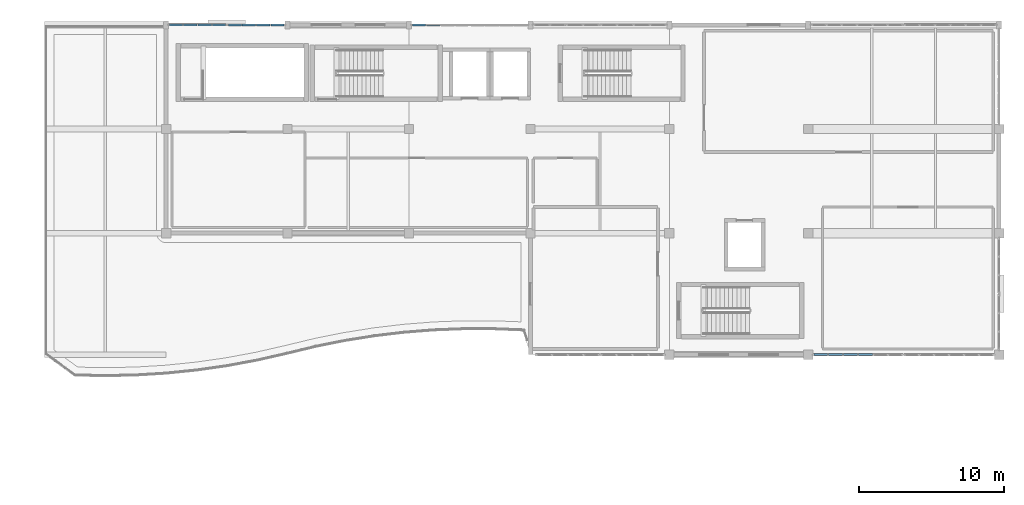
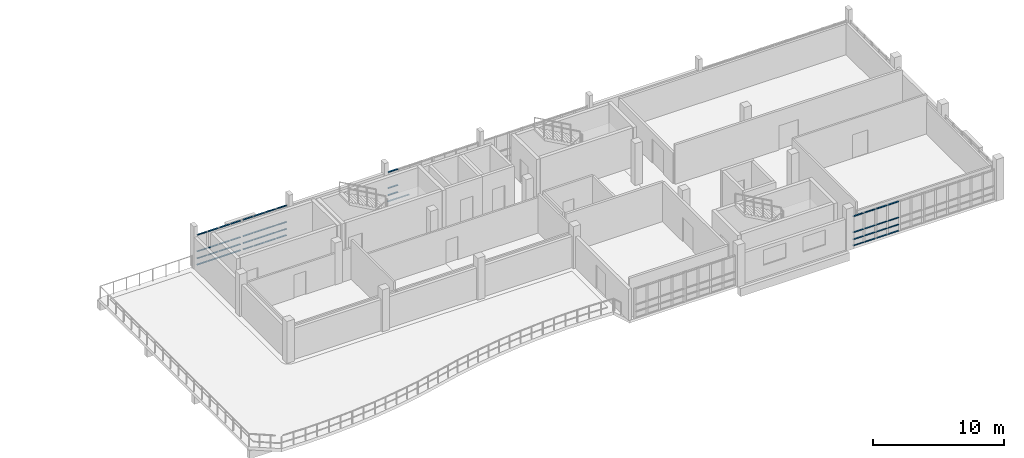
# One storey, part 14 of 25: 53 members, 4 elements without a shape of their own.
"""IFC4 building model written with IfcOpenShell, lengths in metres."""

from ifc_helpers import new_model, si_unit, direction, frame, origin, origin_2d, place, context, subcontext, project, spatial, hollow_rectangle, extrude, material, layer, layer_set, material_profile, profile_set, type_object, element, aggregate, save


model = new_model("IFC4")

# Units and contexts
model_context = context("Model", 3, precision=1e-05, world=origin(), true_north=direction((0.0, 1.0)))
body_context = subcontext(model_context, "Body", "Model", "MODEL_VIEW")
ifc_project = project(units=[si_unit("LENGTHUNIT", "METRE"), si_unit("AREAUNIT", "SQUARE_METRE"), si_unit("VOLUMEUNIT", "CUBIC_METRE"), si_unit("PLANEANGLEUNIT", "RADIAN"), si_unit("MASSUNIT", "GRAM", prefix="KILO")], contexts=[model_context])

# Site, building, storey
site_placement = place(None, origin())
site = spatial("IfcSite", under=ifc_project, at=site_placement, CompositionType="ELEMENT")
building_placement = place(site_placement, origin())
building = spatial("IfcBuilding", under=site, at=building_placement, Name="Kisaragi Civic Commons", CompositionType="ELEMENT")
storey_placement = place(building_placement, frame((0.0, 0.0, 13.5)))
storey = spatial("IfcBuildingStorey", under=building, at=storey_placement, Name="L03", CompositionType="ELEMENT", Elevation=13.5)

# Curtain wall, members
ifc_material = material(Name="Thermally broken anodized aluminium and low-E double glazing", Category="aluminium")
ifc_layer = layer(ifc_material, 0.179931640625, Name="Thermally broken anodized aluminium and low-E double glazing", Category="aluminium")
ifc_layer_set = layer_set([ifc_layer], Name="Thermally broken anodized aluminium and low-E double glazing")
curtain_wall_type = type_object("IfcCurtainWallType", Name="CW-01", PredefinedType="NOTDEFINED", material=ifc_layer_set)
curtain_wall_1_placement = place(storey_placement, origin())
curtain_wall_1 = element("IfcCurtainWall", 1, at=curtain_wall_1_placement, inside=storey, type_object=curtain_wall_type, Name="L03 curtain wall CW-01 CW-V4-L03-095", PredefinedType="NOTDEFINED")
ifc_material_profile = material_profile(ifc_material, hollow_rectangle(XDim=0.139892578125, YDim=0.06494140625, WallThickness=0.00439453125, InnerFilletRadius=0.00439453125, OuterFilletRadius=0.009033203125, at=origin_2d()), Name="CWT-65x140x4.5", Category="aluminium")
ifc_profile_set = profile_set([ifc_material_profile], Name="Thermally broken anodized aluminium and low-E double glazing")
member_type = type_object("IfcMemberType", Name="CWT-02", PredefinedType="USERDEFINED", material=ifc_profile_set)
member_1_placement = place(storey_placement, frame((89.054931640625, 118.800048828125, 0.070068359375), z_axis=(1.0, 0.0, 0.0), x_axis=(0.0, 1.0, 0.0)))
member_1 = element("IfcMember", 2, at=member_1_placement, type_object=member_type, Name="CW-01 transom 1.1", ObjectType="TRANSOM", PredefinedType="USERDEFINED", context=body_context, shape_type="SweptSolid", body=[
    extrude(hollow_rectangle(XDim=0.139892578125, YDim=0.06494140625, WallThickness=0.00439453125, InnerFilletRadius=0.00439453125, OuterFilletRadius=0.009033203125, at=origin_2d()), origin(), (0.0, 0.0, 1.0), 0.89501953125),
])
member_2_placement = place(storey_placement, frame((89.054931640625, 118.800048828125, 0.64990234375), z_axis=(1.0, 0.0, 0.0), x_axis=(0.0, 1.0, 0.0)))
member_2 = element("IfcMember", 3, at=member_2_placement, type_object=member_type, Name="CW-01 transom 1.2", ObjectType="TRANSOM", PredefinedType="USERDEFINED", context=body_context, shape_type="SweptSolid", body=[
    extrude(hollow_rectangle(XDim=0.139892578125, YDim=0.06494140625, WallThickness=0.00439453125, InnerFilletRadius=0.00439453125, OuterFilletRadius=0.009033203125, at=origin_2d()), origin(), (0.0, 0.0, 1.0), 0.89501953125),
])
member_3_placement = place(storey_placement, frame((89.054931640625, 118.800048828125, 1.300048828125), z_axis=(1.0, 0.0, 0.0), x_axis=(0.0, 1.0, 0.0)))
member_3 = element("IfcMember", 4, at=member_3_placement, type_object=member_type, Name="CW-01 transom 1.3", ObjectType="TRANSOM", PredefinedType="USERDEFINED", context=body_context, shape_type="SweptSolid", body=[
    extrude(hollow_rectangle(XDim=0.139892578125, YDim=0.06494140625, WallThickness=0.00439453125, InnerFilletRadius=0.00439453125, OuterFilletRadius=0.009033203125, at=origin_2d()), origin(), (0.0, 0.0, 1.0), 0.89501953125),
])
member_4_placement = place(storey_placement, frame((89.054931640625, 118.800048828125, 2.8349609375), z_axis=(1.0, 0.0, 0.0), x_axis=(0.0, 1.0, 0.0)))
member_4 = element("IfcMember", 5, at=member_4_placement, type_object=member_type, Name="CW-01 transom 1.4", ObjectType="TRANSOM", PredefinedType="USERDEFINED", context=body_context, shape_type="SweptSolid", body=[
    extrude(hollow_rectangle(XDim=0.139892578125, YDim=0.06494140625, WallThickness=0.00439453125, InnerFilletRadius=0.00439453125, OuterFilletRadius=0.009033203125, at=origin_2d()), origin(), (0.0, 0.0, 1.0), 0.89501953125),
])
member_5_placement = place(storey_placement, frame((90.014892578125, 118.800048828125, 0.070068359375), z_axis=(1.0, 0.0, 0.0), x_axis=(0.0, 1.0, 0.0)))
member_5 = element("IfcMember", 6, at=member_5_placement, type_object=member_type, Name="CW-01 transom 2.1", ObjectType="TRANSOM", PredefinedType="USERDEFINED", context=body_context, shape_type="SweptSolid", body=[
    extrude(hollow_rectangle(XDim=0.139892578125, YDim=0.06494140625, WallThickness=0.00439453125, InnerFilletRadius=0.00439453125, OuterFilletRadius=0.009033203125, at=origin_2d()), origin(), (0.0, 0.0, 1.0), 0.927490234375),
])
member_6_placement = place(storey_placement, frame((90.014892578125, 118.800048828125, 0.64990234375), z_axis=(1.0, 0.0, 0.0), x_axis=(0.0, 1.0, 0.0)))
member_6 = element("IfcMember", 7, at=member_6_placement, type_object=member_type, Name="CW-01 transom 2.2", ObjectType="TRANSOM", PredefinedType="USERDEFINED", context=body_context, shape_type="SweptSolid", body=[
    extrude(hollow_rectangle(XDim=0.139892578125, YDim=0.06494140625, WallThickness=0.00439453125, InnerFilletRadius=0.00439453125, OuterFilletRadius=0.009033203125, at=origin_2d()), origin(), (0.0, 0.0, 1.0), 0.927490234375),
])
member_7_placement = place(storey_placement, frame((90.014892578125, 118.800048828125, 1.300048828125), z_axis=(1.0, 0.0, 0.0), x_axis=(0.0, 1.0, 0.0)))
member_7 = element("IfcMember", 8, at=member_7_placement, type_object=member_type, Name="CW-01 transom 2.3", ObjectType="TRANSOM", PredefinedType="USERDEFINED", context=body_context, shape_type="SweptSolid", body=[
    extrude(hollow_rectangle(XDim=0.139892578125, YDim=0.06494140625, WallThickness=0.00439453125, InnerFilletRadius=0.00439453125, OuterFilletRadius=0.009033203125, at=origin_2d()), origin(), (0.0, 0.0, 1.0), 0.927490234375),
])
member_8_placement = place(storey_placement, frame((90.014892578125, 118.800048828125, 2.8349609375), z_axis=(1.0, 0.0, 0.0), x_axis=(0.0, 1.0, 0.0)))
member_8 = element("IfcMember", 9, at=member_8_placement, type_object=member_type, Name="CW-01 transom 2.4", ObjectType="TRANSOM", PredefinedType="USERDEFINED", context=body_context, shape_type="SweptSolid", body=[
    extrude(hollow_rectangle(XDim=0.139892578125, YDim=0.06494140625, WallThickness=0.00439453125, InnerFilletRadius=0.00439453125, OuterFilletRadius=0.009033203125, at=origin_2d()), origin(), (0.0, 0.0, 1.0), 0.927490234375),
])
member_9_placement = place(storey_placement, frame((91.007568359375, 118.800048828125, 0.070068359375), z_axis=(1.0, 0.0, 0.0), x_axis=(0.0, 1.0, 0.0)))
member_9 = element("IfcMember", 10, at=member_9_placement, type_object=member_type, Name="CW-01 transom 3.1", ObjectType="TRANSOM", PredefinedType="USERDEFINED", context=body_context, shape_type="SweptSolid", body=[
    extrude(hollow_rectangle(XDim=0.139892578125, YDim=0.06494140625, WallThickness=0.00439453125, InnerFilletRadius=0.00439453125, OuterFilletRadius=0.009033203125, at=origin_2d()), origin(), (0.0, 0.0, 1.0), 0.927490234375),
])
member_10_placement = place(storey_placement, frame((91.007568359375, 118.800048828125, 0.64990234375), z_axis=(1.0, 0.0, 0.0), x_axis=(0.0, 1.0, 0.0)))
member_10 = element("IfcMember", 11, at=member_10_placement, type_object=member_type, Name="CW-01 transom 3.2", ObjectType="TRANSOM", PredefinedType="USERDEFINED", context=body_context, shape_type="SweptSolid", body=[
    extrude(hollow_rectangle(XDim=0.139892578125, YDim=0.06494140625, WallThickness=0.00439453125, InnerFilletRadius=0.00439453125, OuterFilletRadius=0.009033203125, at=origin_2d()), origin(), (0.0, 0.0, 1.0), 0.927490234375),
])
member_11_placement = place(storey_placement, frame((91.007568359375, 118.800048828125, 1.300048828125), z_axis=(1.0, 0.0, 0.0), x_axis=(0.0, 1.0, 0.0)))
member_11 = element("IfcMember", 12, at=member_11_placement, type_object=member_type, Name="CW-01 transom 3.3", ObjectType="TRANSOM", PredefinedType="USERDEFINED", context=body_context, shape_type="SweptSolid", body=[
    extrude(hollow_rectangle(XDim=0.139892578125, YDim=0.06494140625, WallThickness=0.00439453125, InnerFilletRadius=0.00439453125, OuterFilletRadius=0.009033203125, at=origin_2d()), origin(), (0.0, 0.0, 1.0), 0.927490234375),
])
member_12_placement = place(storey_placement, frame((91.007568359375, 118.800048828125, 2.8349609375), z_axis=(1.0, 0.0, 0.0), x_axis=(0.0, 1.0, 0.0)))
member_12 = element("IfcMember", 13, at=member_12_placement, type_object=member_type, Name="CW-01 transom 3.4", ObjectType="TRANSOM", PredefinedType="USERDEFINED", context=body_context, shape_type="SweptSolid", body=[
    extrude(hollow_rectangle(XDim=0.139892578125, YDim=0.06494140625, WallThickness=0.00439453125, InnerFilletRadius=0.00439453125, OuterFilletRadius=0.009033203125, at=origin_2d()), origin(), (0.0, 0.0, 1.0), 0.927490234375),
])
member_13_placement = place(storey_placement, frame((92.0, 118.800048828125, 0.070068359375), z_axis=(1.0, 0.0, 0.0), x_axis=(0.0, 1.0, 0.0)))
member_13 = element("IfcMember", 14, at=member_13_placement, type_object=member_type, Name="CW-01 transom 4.1", ObjectType="TRANSOM", PredefinedType="USERDEFINED", context=body_context, shape_type="SweptSolid", body=[
    extrude(hollow_rectangle(XDim=0.139892578125, YDim=0.06494140625, WallThickness=0.00439453125, InnerFilletRadius=0.00439453125, OuterFilletRadius=0.009033203125, at=origin_2d()), origin(), (0.0, 0.0, 1.0), 0.89501953125),
])
member_14_placement = place(storey_placement, frame((92.0, 118.800048828125, 0.64990234375), z_axis=(1.0, 0.0, 0.0), x_axis=(0.0, 1.0, 0.0)))
member_14 = element("IfcMember", 15, at=member_14_placement, type_object=member_type, Name="CW-01 transom 4.2", ObjectType="TRANSOM", PredefinedType="USERDEFINED", context=body_context, shape_type="SweptSolid", body=[
    extrude(hollow_rectangle(XDim=0.139892578125, YDim=0.06494140625, WallThickness=0.00439453125, InnerFilletRadius=0.00439453125, OuterFilletRadius=0.009033203125, at=origin_2d()), origin(), (0.0, 0.0, 1.0), 0.89501953125),
])
member_15_placement = place(storey_placement, frame((92.0, 118.800048828125, 1.300048828125), z_axis=(1.0, 0.0, 0.0), x_axis=(0.0, 1.0, 0.0)))
member_15 = element("IfcMember", 16, at=member_15_placement, type_object=member_type, Name="CW-01 transom 4.3", ObjectType="TRANSOM", PredefinedType="USERDEFINED", context=body_context, shape_type="SweptSolid", body=[
    extrude(hollow_rectangle(XDim=0.139892578125, YDim=0.06494140625, WallThickness=0.00439453125, InnerFilletRadius=0.00439453125, OuterFilletRadius=0.009033203125, at=origin_2d()), origin(), (0.0, 0.0, 1.0), 0.89501953125),
])
member_16_placement = place(storey_placement, frame((92.0, 118.800048828125, 2.8349609375), z_axis=(1.0, 0.0, 0.0), x_axis=(0.0, 1.0, 0.0)))
member_16 = element("IfcMember", 17, at=member_16_placement, type_object=member_type, Name="CW-01 transom 4.4", ObjectType="TRANSOM", PredefinedType="USERDEFINED", context=body_context, shape_type="SweptSolid", body=[
    extrude(hollow_rectangle(XDim=0.139892578125, YDim=0.06494140625, WallThickness=0.00439453125, InnerFilletRadius=0.00439453125, OuterFilletRadius=0.009033203125, at=origin_2d()), origin(), (0.0, 0.0, 1.0), 0.89501953125),
])
aggregate(curtain_wall_1, [member_1, member_2, member_3, member_4, member_5, member_6, member_7, member_8, member_9, member_10, member_11, member_12, member_13, member_14, member_15, member_16])

curtain_wall_2_placement = place(storey_placement, origin())
curtain_wall_2 = element("IfcCurtainWall", 18, at=curtain_wall_2_placement, inside=storey, type_object=curtain_wall_type, Name="L03 curtain wall CW-01 CW-V4-L03-096", PredefinedType="NOTDEFINED")
member_17_placement = place(storey_placement, frame((93.10498046875, 118.800048828125, 0.070068359375), z_axis=(1.0, 0.0, 0.0), x_axis=(0.0, 1.0, 0.0)))
member_17 = element("IfcMember", 19, at=member_17_placement, type_object=member_type, Name="CW-01 transom 1.1", ObjectType="TRANSOM", PredefinedType="USERDEFINED", context=body_context, shape_type="SweptSolid", body=[
    extrude(hollow_rectangle(XDim=0.139892578125, YDim=0.06494140625, WallThickness=0.00439453125, InnerFilletRadius=0.00439453125, OuterFilletRadius=0.009033203125, at=origin_2d()), origin(), (0.0, 0.0, 1.0), 0.89501953125),
])
member_18_placement = place(storey_placement, frame((93.10498046875, 118.800048828125, 0.64990234375), z_axis=(1.0, 0.0, 0.0), x_axis=(0.0, 1.0, 0.0)))
member_18 = element("IfcMember", 20, at=member_18_placement, type_object=member_type, Name="CW-01 transom 1.2", ObjectType="TRANSOM", PredefinedType="USERDEFINED", context=body_context, shape_type="SweptSolid", body=[
    extrude(hollow_rectangle(XDim=0.139892578125, YDim=0.06494140625, WallThickness=0.00439453125, InnerFilletRadius=0.00439453125, OuterFilletRadius=0.009033203125, at=origin_2d()), origin(), (0.0, 0.0, 1.0), 0.89501953125),
])
member_19_placement = place(storey_placement, frame((93.10498046875, 118.800048828125, 1.300048828125), z_axis=(1.0, 0.0, 0.0), x_axis=(0.0, 1.0, 0.0)))
member_19 = element("IfcMember", 21, at=member_19_placement, type_object=member_type, Name="CW-01 transom 1.3", ObjectType="TRANSOM", PredefinedType="USERDEFINED", context=body_context, shape_type="SweptSolid", body=[
    extrude(hollow_rectangle(XDim=0.139892578125, YDim=0.06494140625, WallThickness=0.00439453125, InnerFilletRadius=0.00439453125, OuterFilletRadius=0.009033203125, at=origin_2d()), origin(), (0.0, 0.0, 1.0), 0.89501953125),
])
member_20_placement = place(storey_placement, frame((93.10498046875, 118.800048828125, 2.8349609375), z_axis=(1.0, 0.0, 0.0), x_axis=(0.0, 1.0, 0.0)))
member_20 = element("IfcMember", 22, at=member_20_placement, type_object=member_type, Name="CW-01 transom 1.4", ObjectType="TRANSOM", PredefinedType="USERDEFINED", context=body_context, shape_type="SweptSolid", body=[
    extrude(hollow_rectangle(XDim=0.139892578125, YDim=0.06494140625, WallThickness=0.00439453125, InnerFilletRadius=0.00439453125, OuterFilletRadius=0.009033203125, at=origin_2d()), origin(), (0.0, 0.0, 1.0), 0.89501953125),
])
member_21_placement = place(storey_placement, frame((94.06494140625, 118.800048828125, 0.070068359375), z_axis=(1.0, 0.0, 0.0), x_axis=(0.0, 1.0, 0.0)))
member_21 = element("IfcMember", 23, at=member_21_placement, type_object=member_type, Name="CW-01 transom 2.1", ObjectType="TRANSOM", PredefinedType="USERDEFINED", context=body_context, shape_type="SweptSolid", body=[
    extrude(hollow_rectangle(XDim=0.139892578125, YDim=0.06494140625, WallThickness=0.00439453125, InnerFilletRadius=0.00439453125, OuterFilletRadius=0.009033203125, at=origin_2d()), origin(), (0.0, 0.0, 1.0), 0.927490234375),
])
member_22_placement = place(storey_placement, frame((94.06494140625, 118.800048828125, 0.64990234375), z_axis=(1.0, 0.0, 0.0), x_axis=(0.0, 1.0, 0.0)))
member_22 = element("IfcMember", 24, at=member_22_placement, type_object=member_type, Name="CW-01 transom 2.2", ObjectType="TRANSOM", PredefinedType="USERDEFINED", context=body_context, shape_type="SweptSolid", body=[
    extrude(hollow_rectangle(XDim=0.139892578125, YDim=0.06494140625, WallThickness=0.00439453125, InnerFilletRadius=0.00439453125, OuterFilletRadius=0.009033203125, at=origin_2d()), origin(), (0.0, 0.0, 1.0), 0.927490234375),
])
member_23_placement = place(storey_placement, frame((94.06494140625, 118.800048828125, 1.300048828125), z_axis=(1.0, 0.0, 0.0), x_axis=(0.0, 1.0, 0.0)))
member_23 = element("IfcMember", 25, at=member_23_placement, type_object=member_type, Name="CW-01 transom 2.3", ObjectType="TRANSOM", PredefinedType="USERDEFINED", context=body_context, shape_type="SweptSolid", body=[
    extrude(hollow_rectangle(XDim=0.139892578125, YDim=0.06494140625, WallThickness=0.00439453125, InnerFilletRadius=0.00439453125, OuterFilletRadius=0.009033203125, at=origin_2d()), origin(), (0.0, 0.0, 1.0), 0.927490234375),
])
member_24_placement = place(storey_placement, frame((94.06494140625, 118.800048828125, 2.8349609375), z_axis=(1.0, 0.0, 0.0), x_axis=(0.0, 1.0, 0.0)))
member_24 = element("IfcMember", 26, at=member_24_placement, type_object=member_type, Name="CW-01 transom 2.4", ObjectType="TRANSOM", PredefinedType="USERDEFINED", context=body_context, shape_type="SweptSolid", body=[
    extrude(hollow_rectangle(XDim=0.139892578125, YDim=0.06494140625, WallThickness=0.00439453125, InnerFilletRadius=0.00439453125, OuterFilletRadius=0.009033203125, at=origin_2d()), origin(), (0.0, 0.0, 1.0), 0.927490234375),
])
member_25_placement = place(storey_placement, frame((95.0576171875, 118.800048828125, 0.070068359375), z_axis=(1.0, 0.0, 0.0), x_axis=(0.0, 1.0, 0.0)))
member_25 = element("IfcMember", 27, at=member_25_placement, type_object=member_type, Name="CW-01 transom 3.1", ObjectType="TRANSOM", PredefinedType="USERDEFINED", context=body_context, shape_type="SweptSolid", body=[
    extrude(hollow_rectangle(XDim=0.139892578125, YDim=0.06494140625, WallThickness=0.00439453125, InnerFilletRadius=0.00439453125, OuterFilletRadius=0.009033203125, at=origin_2d()), origin(), (0.0, 0.0, 1.0), 0.927490234375),
])
member_26_placement = place(storey_placement, frame((95.0576171875, 118.800048828125, 0.64990234375), z_axis=(1.0, 0.0, 0.0), x_axis=(0.0, 1.0, 0.0)))
member_26 = element("IfcMember", 28, at=member_26_placement, type_object=member_type, Name="CW-01 transom 3.2", ObjectType="TRANSOM", PredefinedType="USERDEFINED", context=body_context, shape_type="SweptSolid", body=[
    extrude(hollow_rectangle(XDim=0.139892578125, YDim=0.06494140625, WallThickness=0.00439453125, InnerFilletRadius=0.00439453125, OuterFilletRadius=0.009033203125, at=origin_2d()), origin(), (0.0, 0.0, 1.0), 0.927490234375),
])
member_27_placement = place(storey_placement, frame((95.0576171875, 118.800048828125, 1.300048828125), z_axis=(1.0, 0.0, 0.0), x_axis=(0.0, 1.0, 0.0)))
member_27 = element("IfcMember", 29, at=member_27_placement, type_object=member_type, Name="CW-01 transom 3.3", ObjectType="TRANSOM", PredefinedType="USERDEFINED", context=body_context, shape_type="SweptSolid", body=[
    extrude(hollow_rectangle(XDim=0.139892578125, YDim=0.06494140625, WallThickness=0.00439453125, InnerFilletRadius=0.00439453125, OuterFilletRadius=0.009033203125, at=origin_2d()), origin(), (0.0, 0.0, 1.0), 0.927490234375),
])
member_28_placement = place(storey_placement, frame((95.0576171875, 118.800048828125, 2.8349609375), z_axis=(1.0, 0.0, 0.0), x_axis=(0.0, 1.0, 0.0)))
member_28 = element("IfcMember", 30, at=member_28_placement, type_object=member_type, Name="CW-01 transom 3.4", ObjectType="TRANSOM", PredefinedType="USERDEFINED", context=body_context, shape_type="SweptSolid", body=[
    extrude(hollow_rectangle(XDim=0.139892578125, YDim=0.06494140625, WallThickness=0.00439453125, InnerFilletRadius=0.00439453125, OuterFilletRadius=0.009033203125, at=origin_2d()), origin(), (0.0, 0.0, 1.0), 0.927490234375),
])
member_29_placement = place(storey_placement, frame((96.050048828125, 118.800048828125, 0.070068359375), z_axis=(1.0, 0.0, 0.0), x_axis=(0.0, 1.0, 0.0)))
member_29 = element("IfcMember", 31, at=member_29_placement, type_object=member_type, Name="CW-01 transom 4.1", ObjectType="TRANSOM", PredefinedType="USERDEFINED", context=body_context, shape_type="SweptSolid", body=[
    extrude(hollow_rectangle(XDim=0.139892578125, YDim=0.06494140625, WallThickness=0.00439453125, InnerFilletRadius=0.00439453125, OuterFilletRadius=0.009033203125, at=origin_2d()), origin(), (0.0, 0.0, 1.0), 0.89501953125),
])
member_30_placement = place(storey_placement, frame((96.050048828125, 118.800048828125, 0.64990234375), z_axis=(1.0, 0.0, 0.0), x_axis=(0.0, 1.0, 0.0)))
member_30 = element("IfcMember", 32, at=member_30_placement, type_object=member_type, Name="CW-01 transom 4.2", ObjectType="TRANSOM", PredefinedType="USERDEFINED", context=body_context, shape_type="SweptSolid", body=[
    extrude(hollow_rectangle(XDim=0.139892578125, YDim=0.06494140625, WallThickness=0.00439453125, InnerFilletRadius=0.00439453125, OuterFilletRadius=0.009033203125, at=origin_2d()), origin(), (0.0, 0.0, 1.0), 0.89501953125),
])
member_31_placement = place(storey_placement, frame((96.050048828125, 118.800048828125, 1.300048828125), z_axis=(1.0, 0.0, 0.0), x_axis=(0.0, 1.0, 0.0)))
member_31 = element("IfcMember", 33, at=member_31_placement, type_object=member_type, Name="CW-01 transom 4.3", ObjectType="TRANSOM", PredefinedType="USERDEFINED", context=body_context, shape_type="SweptSolid", body=[
    extrude(hollow_rectangle(XDim=0.139892578125, YDim=0.06494140625, WallThickness=0.00439453125, InnerFilletRadius=0.00439453125, OuterFilletRadius=0.009033203125, at=origin_2d()), origin(), (0.0, 0.0, 1.0), 0.89501953125),
])
member_32_placement = place(storey_placement, frame((96.050048828125, 118.800048828125, 2.8349609375), z_axis=(1.0, 0.0, 0.0), x_axis=(0.0, 1.0, 0.0)))
member_32 = element("IfcMember", 34, at=member_32_placement, type_object=member_type, Name="CW-01 transom 4.4", ObjectType="TRANSOM", PredefinedType="USERDEFINED", context=body_context, shape_type="SweptSolid", body=[
    extrude(hollow_rectangle(XDim=0.139892578125, YDim=0.06494140625, WallThickness=0.00439453125, InnerFilletRadius=0.00439453125, OuterFilletRadius=0.009033203125, at=origin_2d()), origin(), (0.0, 0.0, 1.0), 0.89501953125),
])
aggregate(curtain_wall_2, [member_17, member_18, member_19, member_20, member_21, member_22, member_23, member_24, member_25, member_26, member_27, member_28, member_29, member_30, member_31, member_32])

curtain_wall_3_placement = place(storey_placement, origin())
curtain_wall_3 = element("IfcCurtainWall", 35, at=curtain_wall_3_placement, inside=storey, type_object=curtain_wall_type, Name="L03 curtain wall CW-01 CW-V4-L03-097", PredefinedType="NOTDEFINED")
member_33_placement = place(storey_placement, frame((105.85498046875, 118.800048828125, 0.070068359375), z_axis=(1.0, 0.0, 0.0), x_axis=(0.0, 1.0, 0.0)))
member_33 = element("IfcMember", 36, at=member_33_placement, type_object=member_type, Name="CW-01 transom 1.1", ObjectType="TRANSOM", PredefinedType="USERDEFINED", context=body_context, shape_type="SweptSolid", body=[
    extrude(hollow_rectangle(XDim=0.139892578125, YDim=0.06494140625, WallThickness=0.00439453125, InnerFilletRadius=0.00439453125, OuterFilletRadius=0.009033203125, at=origin_2d()), origin(), (0.0, 0.0, 1.0), 0.89501953125),
])
member_34_placement = place(storey_placement, frame((105.85498046875, 118.800048828125, 0.64990234375), z_axis=(1.0, 0.0, 0.0), x_axis=(0.0, 1.0, 0.0)))
member_34 = element("IfcMember", 37, at=member_34_placement, type_object=member_type, Name="CW-01 transom 1.2", ObjectType="TRANSOM", PredefinedType="USERDEFINED", context=body_context, shape_type="SweptSolid", body=[
    extrude(hollow_rectangle(XDim=0.139892578125, YDim=0.06494140625, WallThickness=0.00439453125, InnerFilletRadius=0.00439453125, OuterFilletRadius=0.009033203125, at=origin_2d()), origin(), (0.0, 0.0, 1.0), 0.89501953125),
])
member_35_placement = place(storey_placement, frame((105.85498046875, 118.800048828125, 1.300048828125), z_axis=(1.0, 0.0, 0.0), x_axis=(0.0, 1.0, 0.0)))
member_35 = element("IfcMember", 38, at=member_35_placement, type_object=member_type, Name="CW-01 transom 1.3", ObjectType="TRANSOM", PredefinedType="USERDEFINED", context=body_context, shape_type="SweptSolid", body=[
    extrude(hollow_rectangle(XDim=0.139892578125, YDim=0.06494140625, WallThickness=0.00439453125, InnerFilletRadius=0.00439453125, OuterFilletRadius=0.009033203125, at=origin_2d()), origin(), (0.0, 0.0, 1.0), 0.89501953125),
])
member_36_placement = place(storey_placement, frame((105.85498046875, 118.800048828125, 2.784912109375), z_axis=(1.0, 0.0, 0.0), x_axis=(0.0, 1.0, 0.0)))
member_36 = element("IfcMember", 39, at=member_36_placement, type_object=member_type, Name="CW-01 transom 1.4", ObjectType="TRANSOM", PredefinedType="USERDEFINED", context=body_context, shape_type="SweptSolid", body=[
    extrude(hollow_rectangle(XDim=0.139892578125, YDim=0.06494140625, WallThickness=0.00439453125, InnerFilletRadius=0.00439453125, OuterFilletRadius=0.009033203125, at=origin_2d()), origin(), (0.0, 0.0, 1.0), 0.89501953125),
])
member_37_placement = place(storey_placement, frame((106.81494140625, 118.800048828125, 0.070068359375), z_axis=(1.0, 0.0, 0.0), x_axis=(0.0, 1.0, 0.0)))
member_37 = element("IfcMember", 40, at=member_37_placement, type_object=member_type, Name="CW-01 transom 2.1", ObjectType="TRANSOM", PredefinedType="USERDEFINED", context=body_context, shape_type="SweptSolid", body=[
    extrude(hollow_rectangle(XDim=0.139892578125, YDim=0.06494140625, WallThickness=0.00439453125, InnerFilletRadius=0.00439453125, OuterFilletRadius=0.009033203125, at=origin_2d()), origin(), (0.0, 0.0, 1.0), 0.927490234375),
])
aggregate(curtain_wall_3, [member_33, member_34, member_35, member_36, member_37])

curtain_wall_4_placement = place(storey_placement, origin())
curtain_wall_4 = element("IfcCurtainWall", 41, at=curtain_wall_4_placement, inside=storey, type_object=curtain_wall_type, Name="L03 curtain wall CW-01 CW-V4-L03-108", PredefinedType="NOTDEFINED")
member_38_placement = place(storey_placement, frame((137.654052734375, 96.0, 0.070068359375), z_axis=(-1.0, 0.0, 0.0), x_axis=(0.0, -1.0, 0.0)))
member_38 = element("IfcMember", 42, at=member_38_placement, type_object=member_type, Name="CW-01 transom 3.1", ObjectType="TRANSOM", PredefinedType="USERDEFINED", context=body_context, shape_type="SweptSolid", body=[
    extrude(hollow_rectangle(XDim=0.139892578125, YDim=0.06494140625, WallThickness=0.00439453125, InnerFilletRadius=0.00439453125, OuterFilletRadius=0.009033203125, at=origin_2d()), origin(), (0.0, 0.0, 1.0), 0.971435546875),
])
member_39_placement = place(storey_placement, frame((137.654052734375, 96.0, 0.64990234375), z_axis=(-1.0, 0.0, 0.0), x_axis=(0.0, -1.0, 0.0)))
member_39 = element("IfcMember", 43, at=member_39_placement, type_object=member_type, Name="CW-01 transom 3.2", ObjectType="TRANSOM", PredefinedType="USERDEFINED", context=body_context, shape_type="SweptSolid", body=[
    extrude(hollow_rectangle(XDim=0.139892578125, YDim=0.06494140625, WallThickness=0.00439453125, InnerFilletRadius=0.00439453125, OuterFilletRadius=0.009033203125, at=origin_2d()), origin(), (0.0, 0.0, 1.0), 0.971435546875),
])
member_40_placement = place(storey_placement, frame((137.654052734375, 96.0, 1.300048828125), z_axis=(-1.0, 0.0, 0.0), x_axis=(0.0, -1.0, 0.0)))
member_40 = element("IfcMember", 44, at=member_40_placement, type_object=member_type, Name="CW-01 transom 3.3", ObjectType="TRANSOM", PredefinedType="USERDEFINED", context=body_context, shape_type="SweptSolid", body=[
    extrude(hollow_rectangle(XDim=0.139892578125, YDim=0.06494140625, WallThickness=0.00439453125, InnerFilletRadius=0.00439453125, OuterFilletRadius=0.009033203125, at=origin_2d()), origin(), (0.0, 0.0, 1.0), 0.971435546875),
])
member_41_placement = place(storey_placement, frame((137.654052734375, 96.0, 2.784912109375), z_axis=(-1.0, 0.0, 0.0), x_axis=(0.0, -1.0, 0.0)))
member_41 = element("IfcMember", 45, at=member_41_placement, type_object=member_type, Name="CW-01 transom 3.4", ObjectType="TRANSOM", PredefinedType="USERDEFINED", context=body_context, shape_type="SweptSolid", body=[
    extrude(hollow_rectangle(XDim=0.139892578125, YDim=0.06494140625, WallThickness=0.00439453125, InnerFilletRadius=0.00439453125, OuterFilletRadius=0.009033203125, at=origin_2d()), origin(), (0.0, 0.0, 1.0), 0.971435546875),
])
member_42_placement = place(storey_placement, frame((136.617431640625, 96.0, 0.070068359375), z_axis=(-1.0, 0.0, 0.0), x_axis=(0.0, -1.0, 0.0)))
member_42 = element("IfcMember", 46, at=member_42_placement, type_object=member_type, Name="CW-01 transom 4.1", ObjectType="TRANSOM", PredefinedType="USERDEFINED", context=body_context, shape_type="SweptSolid", body=[
    extrude(hollow_rectangle(XDim=0.139892578125, YDim=0.06494140625, WallThickness=0.00439453125, InnerFilletRadius=0.00439453125, OuterFilletRadius=0.009033203125, at=origin_2d()), origin(), (0.0, 0.0, 1.0), 0.9716796875),
])
member_43_placement = place(storey_placement, frame((136.617431640625, 96.0, 0.64990234375), z_axis=(-1.0, 0.0, 0.0), x_axis=(0.0, -1.0, 0.0)))
member_43 = element("IfcMember", 47, at=member_43_placement, type_object=member_type, Name="CW-01 transom 4.2", ObjectType="TRANSOM", PredefinedType="USERDEFINED", context=body_context, shape_type="SweptSolid", body=[
    extrude(hollow_rectangle(XDim=0.139892578125, YDim=0.06494140625, WallThickness=0.00439453125, InnerFilletRadius=0.00439453125, OuterFilletRadius=0.009033203125, at=origin_2d()), origin(), (0.0, 0.0, 1.0), 0.9716796875),
])
member_44_placement = place(storey_placement, frame((136.617431640625, 96.0, 1.300048828125), z_axis=(-1.0, 0.0, 0.0), x_axis=(0.0, -1.0, 0.0)))
member_44 = element("IfcMember", 48, at=member_44_placement, type_object=member_type, Name="CW-01 transom 4.3", ObjectType="TRANSOM", PredefinedType="USERDEFINED", context=body_context, shape_type="SweptSolid", body=[
    extrude(hollow_rectangle(XDim=0.139892578125, YDim=0.06494140625, WallThickness=0.00439453125, InnerFilletRadius=0.00439453125, OuterFilletRadius=0.009033203125, at=origin_2d()), origin(), (0.0, 0.0, 1.0), 0.9716796875),
])
member_45_placement = place(storey_placement, frame((136.617431640625, 96.0, 2.784912109375), z_axis=(-1.0, 0.0, 0.0), x_axis=(0.0, -1.0, 0.0)))
member_45 = element("IfcMember", 49, at=member_45_placement, type_object=member_type, Name="CW-01 transom 4.4", ObjectType="TRANSOM", PredefinedType="USERDEFINED", context=body_context, shape_type="SweptSolid", body=[
    extrude(hollow_rectangle(XDim=0.139892578125, YDim=0.06494140625, WallThickness=0.00439453125, InnerFilletRadius=0.00439453125, OuterFilletRadius=0.009033203125, at=origin_2d()), origin(), (0.0, 0.0, 1.0), 0.9716796875),
])
member_46_placement = place(storey_placement, frame((135.580810546875, 96.0, 0.070068359375), z_axis=(-1.0, 0.0, 0.0), x_axis=(0.0, -1.0, 0.0)))
member_46 = element("IfcMember", 50, at=member_46_placement, type_object=member_type, Name="CW-01 transom 5.1", ObjectType="TRANSOM", PredefinedType="USERDEFINED", context=body_context, shape_type="SweptSolid", body=[
    extrude(hollow_rectangle(XDim=0.139892578125, YDim=0.06494140625, WallThickness=0.00439453125, InnerFilletRadius=0.00439453125, OuterFilletRadius=0.009033203125, at=origin_2d()), origin(), (0.0, 0.0, 1.0), 0.9716796875),
])
member_47_placement = place(storey_placement, frame((135.580810546875, 96.0, 0.64990234375), z_axis=(-1.0, 0.0, 0.0), x_axis=(0.0, -1.0, 0.0)))
member_47 = element("IfcMember", 51, at=member_47_placement, type_object=member_type, Name="CW-01 transom 5.2", ObjectType="TRANSOM", PredefinedType="USERDEFINED", context=body_context, shape_type="SweptSolid", body=[
    extrude(hollow_rectangle(XDim=0.139892578125, YDim=0.06494140625, WallThickness=0.00439453125, InnerFilletRadius=0.00439453125, OuterFilletRadius=0.009033203125, at=origin_2d()), origin(), (0.0, 0.0, 1.0), 0.9716796875),
])
member_48_placement = place(storey_placement, frame((135.580810546875, 96.0, 1.300048828125), z_axis=(-1.0, 0.0, 0.0), x_axis=(0.0, -1.0, 0.0)))
member_48 = element("IfcMember", 52, at=member_48_placement, type_object=member_type, Name="CW-01 transom 5.3", ObjectType="TRANSOM", PredefinedType="USERDEFINED", context=body_context, shape_type="SweptSolid", body=[
    extrude(hollow_rectangle(XDim=0.139892578125, YDim=0.06494140625, WallThickness=0.00439453125, InnerFilletRadius=0.00439453125, OuterFilletRadius=0.009033203125, at=origin_2d()), origin(), (0.0, 0.0, 1.0), 0.9716796875),
])
member_49_placement = place(storey_placement, frame((135.580810546875, 96.0, 2.784912109375), z_axis=(-1.0, 0.0, 0.0), x_axis=(0.0, -1.0, 0.0)))
member_49 = element("IfcMember", 53, at=member_49_placement, type_object=member_type, Name="CW-01 transom 5.4", ObjectType="TRANSOM", PredefinedType="USERDEFINED", context=body_context, shape_type="SweptSolid", body=[
    extrude(hollow_rectangle(XDim=0.139892578125, YDim=0.06494140625, WallThickness=0.00439453125, InnerFilletRadius=0.00439453125, OuterFilletRadius=0.009033203125, at=origin_2d()), origin(), (0.0, 0.0, 1.0), 0.9716796875),
])
member_50_placement = place(storey_placement, frame((134.544189453125, 96.0, 0.070068359375), z_axis=(-1.0, 0.0, 0.0), x_axis=(0.0, -1.0, 0.0)))
member_50 = element("IfcMember", 54, at=member_50_placement, type_object=member_type, Name="CW-01 transom 6.1", ObjectType="TRANSOM", PredefinedType="USERDEFINED", context=body_context, shape_type="SweptSolid", body=[
    extrude(hollow_rectangle(XDim=0.139892578125, YDim=0.06494140625, WallThickness=0.00439453125, InnerFilletRadius=0.00439453125, OuterFilletRadius=0.009033203125, at=origin_2d()), origin(), (0.0, 0.0, 1.0), 0.939208984375),
])
member_51_placement = place(storey_placement, frame((134.544189453125, 96.0, 0.64990234375), z_axis=(-1.0, 0.0, 0.0), x_axis=(0.0, -1.0, 0.0)))
member_51 = element("IfcMember", 55, at=member_51_placement, type_object=member_type, Name="CW-01 transom 6.2", ObjectType="TRANSOM", PredefinedType="USERDEFINED", context=body_context, shape_type="SweptSolid", body=[
    extrude(hollow_rectangle(XDim=0.139892578125, YDim=0.06494140625, WallThickness=0.00439453125, InnerFilletRadius=0.00439453125, OuterFilletRadius=0.009033203125, at=origin_2d()), origin(), (0.0, 0.0, 1.0), 0.939208984375),
])
member_52_placement = place(storey_placement, frame((134.544189453125, 96.0, 1.300048828125), z_axis=(-1.0, 0.0, 0.0), x_axis=(0.0, -1.0, 0.0)))
member_52 = element("IfcMember", 56, at=member_52_placement, type_object=member_type, Name="CW-01 transom 6.3", ObjectType="TRANSOM", PredefinedType="USERDEFINED", context=body_context, shape_type="SweptSolid", body=[
    extrude(hollow_rectangle(XDim=0.139892578125, YDim=0.06494140625, WallThickness=0.00439453125, InnerFilletRadius=0.00439453125, OuterFilletRadius=0.009033203125, at=origin_2d()), origin(), (0.0, 0.0, 1.0), 0.939208984375),
])
member_53_placement = place(storey_placement, frame((134.544189453125, 96.0, 2.784912109375), z_axis=(-1.0, 0.0, 0.0), x_axis=(0.0, -1.0, 0.0)))
member_53 = element("IfcMember", 57, at=member_53_placement, type_object=member_type, Name="CW-01 transom 6.4", ObjectType="TRANSOM", PredefinedType="USERDEFINED", context=body_context, shape_type="SweptSolid", body=[
    extrude(hollow_rectangle(XDim=0.139892578125, YDim=0.06494140625, WallThickness=0.00439453125, InnerFilletRadius=0.00439453125, OuterFilletRadius=0.009033203125, at=origin_2d()), origin(), (0.0, 0.0, 1.0), 0.939208984375),
])
aggregate(curtain_wall_4, [member_38, member_39, member_40, member_41, member_42, member_43, member_44, member_45, member_46, member_47, member_48, member_49, member_50, member_51, member_52, member_53])

save(model, "model.ifc")
